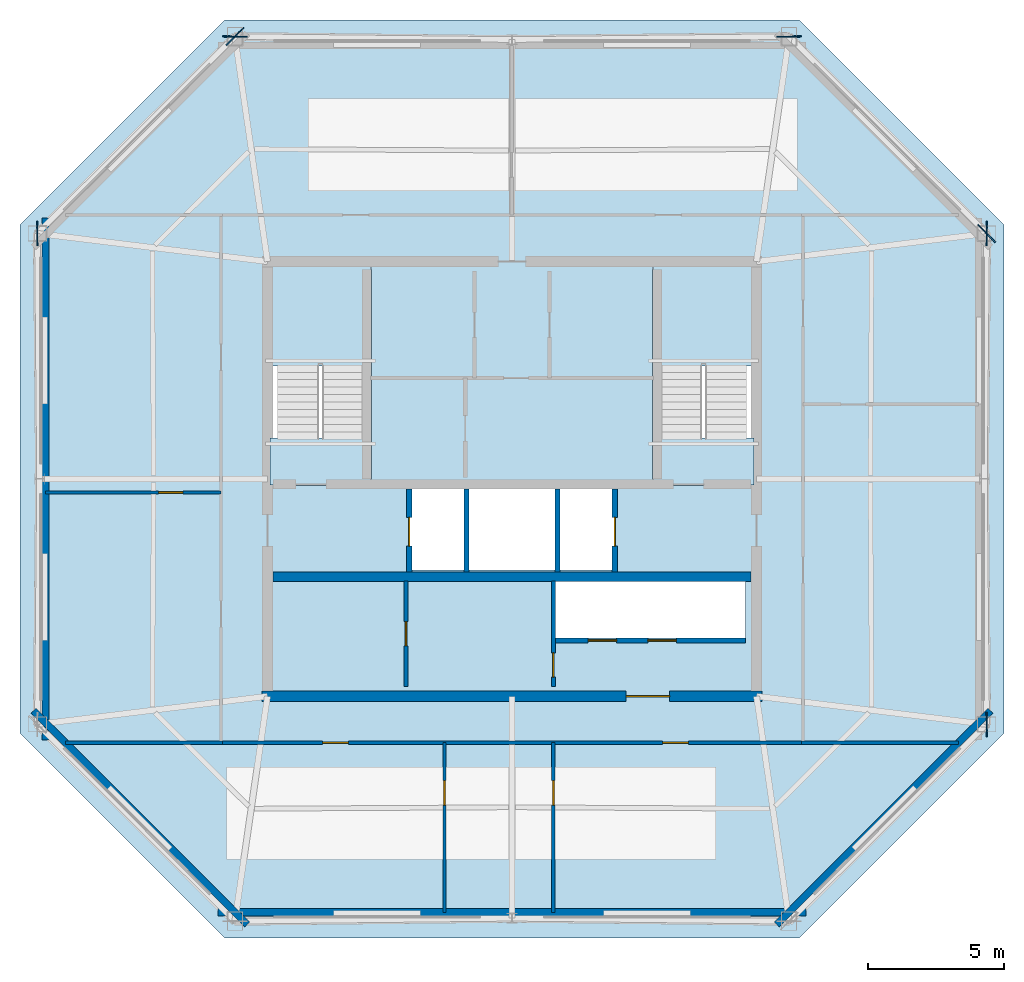
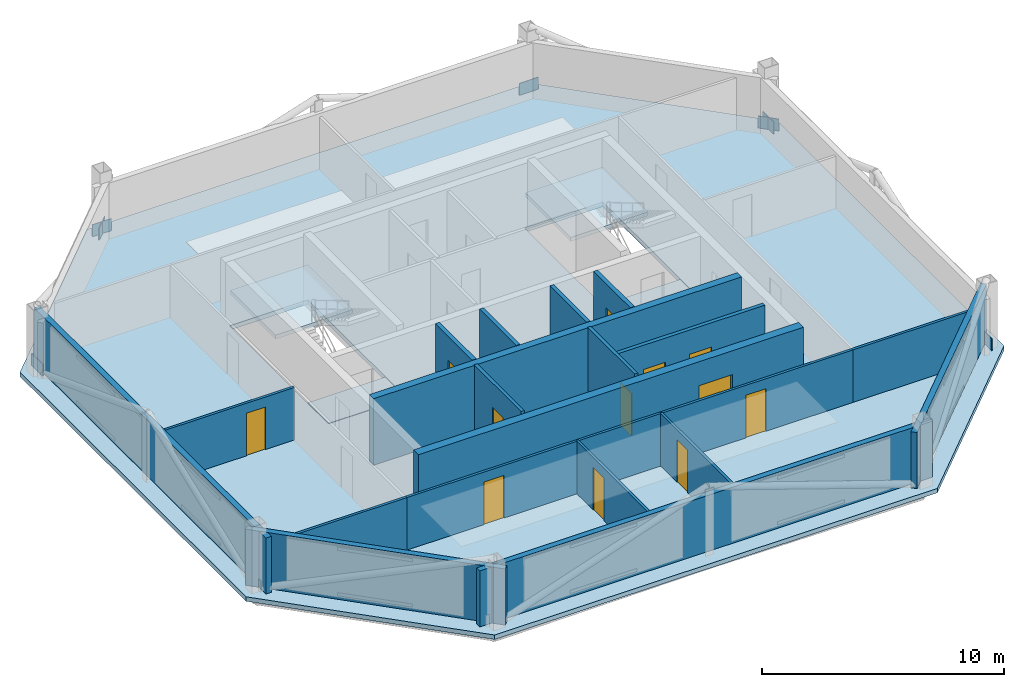
# One storey, part 2 of 5: 19 walls, 12 doors, 7 plates, 5 slabs, 12 openings, 2 elements without a shape of their own.
"""IFC4 building model written with IfcOpenShell, lengths in metres."""

from ifc_helpers import new_model, si_unit, direction, frame, frame_2d, origin, origin_2d, place, context, subcontext, project, spatial, polyline, rectangle, outline, extrude, material, layer, layer_set, type_object, element, fill, aggregate, save


model = new_model("IFC4")

# Units and contexts
model_context = context("Model", 3, precision=1e-05, world=origin(), true_north=direction((0.0, 1.0)))
body_context = subcontext(model_context, "Body", "Model", "MODEL_VIEW")
ifc_project = project(units=[si_unit("LENGTHUNIT", "METRE"), si_unit("AREAUNIT", "SQUARE_METRE"), si_unit("VOLUMEUNIT", "CUBIC_METRE"), si_unit("PLANEANGLEUNIT", "RADIAN"), si_unit("MASSUNIT", "GRAM", prefix="KILO")], contexts=[model_context])

# Site, building, storey
site_placement = place(None, origin())
site = spatial("IfcSite", under=ifc_project, at=site_placement, CompositionType="ELEMENT")
building_placement = place(site_placement, origin())
building = spatial("IfcBuilding", under=site, at=building_placement, Name="Caelvoria Tower", CompositionType="ELEMENT")
storey_placement = place(building_placement, frame((0.0, 0.0, 271.800048828125)))
storey = spatial("IfcBuildingStorey", under=building, at=storey_placement, Name="L72", CompositionType="ELEMENT", Elevation=271.800048828125)

# Plates
ifc_material_1 = material(Name="Structural Steel ASTM A572 Gr.50", Category="steel")
ifc_layer_1 = layer(ifc_material_1, 0.0400390625, Name="Structural Steel ASTM A572 Gr.50")
ifc_layer_set_1 = layer_set([ifc_layer_1], Name="Megaframe Node Gusset Plate 900x600x40 - Structural Steel ASTM A572 Gr.50")
plate_type = type_object("IfcPlateType", Name="Megaframe Node Gusset Plate 900x600x40", PredefinedType="USERDEFINED", material=ifc_layer_set_1)
for number, where, z_axis, x_axis, name in (
    (1, (63.469482421875, 41.032958984375, 0.02001953125), (0.0, 0.0, 1.0), (-0.708182126827, 0.706029797701, 0.0), "Chamfer Mega Brace Gusset L72 NE"),
    (2, (35.80029296875, 48.28076171875, 0.02001953125), (0.0, 0.0, 1.0), (-0.708182126827, -0.706029797701, 0.0), "Chamfer Mega Brace Gusset L72 NW"),
    (3, (63.469482421875, 22.967041015625, 0.0498046875), (0.0, 0.0, 1.0), (-0.008901061644, 0.999960384766, 0.0), "Megaframe Node Gusset Plate ND-01"),
    (4, (63.469482421875, 41.032958984375, 0.0498046875), (0.0, 0.0, 1.0), (-0.008901061644, -0.999960384766, 0.0), "Megaframe Node Gusset Plate ND-01"),
    (5, (56.19970703125, 48.28076171875, 0.0498046875), (0.0, 0.0, 1.0), (-0.999942055893, -0.010764982899, 0.0), "Megaframe Node Gusset Plate ND-01"),
    (6, (35.80029296875, 48.28076171875, 0.0498046875), (0.0, 0.0, 1.0), (0.999942055893, -0.010764982899, 0.0), "Megaframe Node Gusset Plate ND-01"),
    (7, (28.530517578125, 41.032958984375, 0.0498046875), (0.0, 0.0, 1.0), (0.008901061644, -0.999960384766, 0.0), "Megaframe Node Gusset Plate ND-01"),
):
    element("IfcPlate", number, at=place(storey_placement, frame(where, z_axis=z_axis, x_axis=x_axis)), inside=storey, type_object=plate_type, Name=name, ObjectType="GUSSET_PLATE", PredefinedType="USERDEFINED", context=body_context, shape_type="SweptSolid", body=[
        extrude(rectangle(XDim=0.89990234375, YDim=0.0400390625, at=origin_2d()), origin(), (0.0, 0.0, 1.0), 0.60009765625),
    ])

# Stair, slabs
ifc_material_2 = material(Name="Concrete C40/50", Category="concrete")
stair_type = type_object("IfcStairType", Name="Core Smokeproof Dogleg Stair Concrete C40/50", PredefinedType="HALF_TURN_STAIR", material=ifc_material_2)
stair_1_placement = place(storey_placement, origin())
stair_1 = element("IfcStair", 8, at=stair_1_placement, inside=storey, type_object=stair_type, Name="ST-01 Smokeproof Exit Stair L72", PredefinedType="HALF_TURN_STAIR")
ifc_layer_2 = layer(ifc_material_2, 0.199951171875, Name="Concrete C40/50")
ifc_layer_set_2 = layer_set([ifc_layer_2], Name="Stair Half and Floor Landing Slab 200 Concrete C40/50 - Concrete C40/50")
slab_type_1 = type_object("IfcSlabType", Name="Stair Half and Floor Landing Slab 200 Concrete C40/50", PredefinedType="LANDING", material=ifc_layer_set_2)
slab_1_placement = place(storey_placement, frame((0.0, 0.0, -0.199951171875)))
slab_1 = element("IfcSlab", 9, at=slab_1_placement, type_object=slab_type_1, Name="ST-01 landing 1", PredefinedType="LANDING", context=body_context, shape_type="SweptSolid", body=[
    extrude(outline(polyline([(37.10009765625, 31.77001953125), (40.800048828125, 31.77001953125), (40.800048828125, 33.5), (37.10009765625, 33.5), (37.10009765625, 31.77001953125)])), origin(), (0.0, 0.0, 1.0), 0.199951171875),
])
slab_2_placement = place(storey_placement, frame((0.0, 0.0, 1.599853515625)))
slab_2 = element("IfcSlab", 10, at=slab_2_placement, type_object=slab_type_1, Name="ST-01 landing 2", PredefinedType="LANDING", context=body_context, shape_type="SweptSolid", body=[
    extrude(outline(polyline([(37.10009765625, 36.14990234375), (40.800048828125, 36.14990234375), (40.800048828125, 39.89990234375), (37.10009765625, 39.89990234375), (37.10009765625, 36.14990234375)])), origin(), (0.0, 0.0, 1.0), 0.2001953125),
])
aggregate(stair_1, [slab_1, slab_2])

stair_2_placement = place(storey_placement, origin())
stair_2 = element("IfcStair", 11, at=stair_2_placement, inside=storey, type_object=stair_type, Name="ST-02 Smokeproof Exit Stair L72", PredefinedType="HALF_TURN_STAIR")
slab_3_placement = place(storey_placement, frame((0.0, 0.0, -0.199951171875)))
slab_3 = element("IfcSlab", 12, at=slab_3_placement, type_object=slab_type_1, Name="ST-02 landing 1", PredefinedType="LANDING", context=body_context, shape_type="SweptSolid", body=[
    extrude(outline(polyline([(51.199951171875, 31.77001953125), (54.89990234375, 31.77001953125), (54.89990234375, 33.5), (51.199951171875, 33.5), (51.199951171875, 31.77001953125)])), origin(), (0.0, 0.0, 1.0), 0.199951171875),
])
slab_4_placement = place(storey_placement, frame((0.0, 0.0, 1.599853515625)))
slab_4 = element("IfcSlab", 13, at=slab_4_placement, type_object=slab_type_1, Name="ST-02 landing 2", PredefinedType="LANDING", context=body_context, shape_type="SweptSolid", body=[
    extrude(outline(polyline([(51.199951171875, 36.14990234375), (54.89990234375, 36.14990234375), (54.89990234375, 39.89990234375), (51.199951171875, 39.89990234375), (51.199951171875, 36.14990234375)])), origin(), (0.0, 0.0, 1.0), 0.2001953125),
])
aggregate(stair_2, [slab_3, slab_4])

# Slab
ifc_layer_3 = layer(ifc_material_2, 0.22509765625, Name="Concrete C40/50")
ifc_layer_set_3 = layer_set([ifc_layer_3], Name="Upper Tower Composite Office Slab 225 - Concrete C40/50")
slab_type_2 = type_object("IfcSlabType", Name="Upper Tower Composite Office Slab 225", PredefinedType="FLOOR", material=ifc_layer_set_3)
slab_5_placement = place(storey_placement, frame((0.0, 0.0, -0.22509765625)))
element("IfcSlab", 14, at=slab_5_placement, inside=storey, type_object=slab_type_2, Name="Level L72 Structural Floor Slab", PredefinedType="FLOOR", context=body_context, shape_type="SweptSolid", body=[
    extrude(outline(polyline([(35.418212890625, 15.109130859375), (56.581787109375, 15.109130859375), (64.109130859375, 22.636474609375), (64.109130859375, 41.363525390625), (56.581787109375, 48.890869140625), (35.418212890625, 48.890869140625), (27.890869140625, 41.363525390625), (27.890869140625, 22.636474609375), (35.418212890625, 15.109130859375)]), holes=[polyline([(37.080078125, 31.75), (40.820068359375, 31.75), (40.820068359375, 39.919921875), (37.080078125, 39.919921875), (37.080078125, 31.75)]), polyline([(51.179931640625, 31.75), (54.919921875, 31.75), (54.919921875, 39.919921875), (51.179931640625, 39.919921875), (51.179931640625, 31.75)]), polyline([(42.25, 28.64990234375), (49.75, 28.64990234375), (49.75, 31.800048828125), (42.25, 31.800048828125), (42.25, 28.64990234375)]), polyline([(47.60009765625, 26.14990234375), (54.60009765625, 26.14990234375), (54.60009765625, 28.25), (47.60009765625, 28.25), (47.60009765625, 26.14990234375)])]), origin(), (0.0, 0.0, 1.0), 0.22509765625),
])

# Wall
ifc_material_3 = material(Name="Concrete C50/60", Category="concrete")
ifc_layer_4 = layer(ifc_material_3, 0.35009765625, Name="Concrete C50/60")
ifc_layer_set_4 = layer_set([ifc_layer_4], Name="Core Internal Shear Wall 350 - Concrete C50/60")
wall_type_1 = type_object("IfcWallType", Name="Core Internal Shear Wall 350", PredefinedType="SHEAR", material=ifc_layer_set_4)
wall_1_placement = place(storey_placement, frame((37.199951171875, 28.39990234375, 0.0), z_axis=(0.0, 0.0, 1.0), x_axis=(1.0, 0.0, 0.0)))
element("IfcWall", 15, at=wall_1_placement, inside=storey, type_object=wall_type_1, Name="Core Shear Wall L72 M2", PredefinedType="SHEAR", context=body_context, shape_type="SweptSolid", body=[
    extrude(rectangle(XDim=17.60009765625, YDim=0.35009765625, at=frame_2d((8.800048828125, 0.0))), origin(), (0.0, 0.0, 1.0), 3.35986328125),
])

# Wall, opening, door
ifc_material_4 = material(Name="Double Gypsum Board on Steel Stud", Category="steel")
ifc_layer_5 = layer(ifc_material_4, 0.14990234375, Name="Double Gypsum Board on Steel Stud")
ifc_layer_set_5 = layer_set([ifc_layer_5], Name="Core Service Acoustic Partition Wall 150 - Double Gypsum Board on Steel Stud")
wall_type_2 = type_object("IfcWallType", Name="Core Service Acoustic Partition Wall 150", PredefinedType="PARTITIONING", material=ifc_layer_set_5)
wall_2_placement = place(storey_placement, frame((42.10009765625, 24.35009765625, 0.0), z_axis=(0.0, 0.0, 1.0), x_axis=(0.0, 1.0, 0.0)))
wall_2 = element("IfcWall", 16, at=wall_2_placement, inside=storey, type_object=wall_type_2, Name="Interior Partition IW-L72-RECL-MID", PredefinedType="PARTITIONING", context=body_context, shape_type="SweptSolid", body=[
    extrude(rectangle(XDim=3.89990234375, YDim=0.14990234375, at=frame_2d((1.949951171875, 0.0))), origin(), (0.0, 0.0, 1.0), 3.375),
])
opening_1_placement = place(wall_2_placement, frame((1.5, 0.0, 0.0)))
opening_1 = element("IfcOpeningElement", 17, at=opening_1_placement, cuts=wall_2, Name="Opening ID-06", PredefinedType="OPENING", context=body_context, shape_type="SweptSolid", body=[
    extrude(rectangle(XDim=0.89990234375, YDim=2.14990234375, at=frame_2d((0.449951171875, 1.074951171875))), frame((0.0, 0.0849609375, 0.0), z_axis=(0.0, -1.0, 0.0), x_axis=(1.0, 0.0, 0.0)), (0.0, 0.0, 1.0), 0.169921875),
])
ifc_material_5 = material(Name="Engineered Andean Oak Veneer Door", Category="wood")
door_type_1 = type_object("IfcDoorType", Name="Interior Timber Door 900x2150", OperationType="NOTDEFINED", PredefinedType="DOOR", material=ifc_material_5)
door_1_placement = place(opening_1_placement, origin())
door_1 = element("IfcDoor", 18, at=door_1_placement, inside=storey, type_object=door_type_1, Name="Interior Door DR-L72-RECL12", OperationType="SINGLE_SWING_LEFT", OverallHeight=2.14990234375, OverallWidth=0.89990234375, PredefinedType="DOOR", context=body_context, shape_type="SweptSolid", body=[
    extrude(rectangle(XDim=0.89990234375, YDim=2.14990234375, at=frame_2d((0.449951171875, 1.074951171875))), frame((0.0, 0.02490234375, 0.0), z_axis=(0.0, -1.0, 0.0), x_axis=(1.0, 0.0, 0.0)), (0.0, 0.0, 1.0), 0.050048828125),
])
fill(opening_1, door_1)

wall_3_placement = place(storey_placement, frame((47.52001953125, 24.35009765625, 0.0), z_axis=(0.0, 0.0, 1.0), x_axis=(0.0, 1.0, 0.0)))
wall_3 = element("IfcWall", 19, at=wall_3_placement, inside=storey, type_object=wall_type_2, Name="Interior Partition IW-L72-RECL2E", PredefinedType="PARTITIONING", context=body_context, shape_type="SweptSolid", body=[
    extrude(rectangle(XDim=3.89990234375, YDim=0.14990234375, at=frame_2d((1.949951171875, 0.0))), origin(), (0.0, 0.0, 1.0), 3.375),
])
opening_2_placement = place(wall_3_placement, frame((0.35009765625, 0.0, 0.0)))
opening_2 = element("IfcOpeningElement", 20, at=opening_2_placement, cuts=wall_3, Name="Opening ID-04", PredefinedType="OPENING", context=body_context, shape_type="SweptSolid", body=[
    extrude(rectangle(XDim=0.89990234375, YDim=2.14990234375, at=frame_2d((0.449951171875, 1.074951171875))), frame((0.0, 0.0849609375, 0.0), z_axis=(0.0, -1.0, 0.0), x_axis=(1.0, 0.0, 0.0)), (0.0, 0.0, 1.0), 0.169921875),
])
ifc_material_6 = material(Name="Acoustic Timber Fire Door", Category="wood")
door_type_2 = type_object("IfcDoorType", Name="Fire Door FD30S 900x2150", OperationType="NOTDEFINED", PredefinedType="DOOR", material=ifc_material_6)
door_2_placement = place(opening_2_placement, origin())
door_2 = element("IfcDoor", 21, at=door_2_placement, inside=storey, type_object=door_type_2, Name="Interior Door DR-L72-RECL2", OperationType="SINGLE_SWING_RIGHT", OverallHeight=2.14990234375, OverallWidth=0.89990234375, PredefinedType="DOOR", context=body_context, shape_type="SweptSolid", body=[
    extrude(rectangle(XDim=0.89990234375, YDim=2.14990234375, at=frame_2d((0.449951171875, 1.074951171875))), frame((0.0, 0.02490234375, 0.0), z_axis=(0.0, -1.0, 0.0), x_axis=(1.0, 0.0, 0.0)), (0.0, 0.0, 1.0), 0.050048828125),
])
fill(opening_2, door_2)

# Walls
ifc_material_7 = material(Name="Concrete Block and Fireboard Assembly", Category="concrete")
ifc_layer_6 = layer(ifc_material_7, 0.179931640625, Name="Concrete Block and Fireboard Assembly")
ifc_layer_set_6 = layer_set([ifc_layer_6], Name="Fire-Rated Hoistway Partition Wall 180 - Concrete Block and Fireboard Assembly")
wall_type_3 = type_object("IfcWallType", Name="Fire-Rated Hoistway Partition Wall 180", PredefinedType="PARTITIONING", material=ifc_layer_set_6)
for number, where, z_axis, x_axis, name in (
    (22, (44.320068359375, 28.580078125, 0.0), (0.0, 0.0, 1.0), (0.0, 1.0, 0.0), "Interior Partition IW-L72-SV1W"),
    (23, (47.679931640625, 28.580078125, 0.0), (0.0, 0.0, 1.0), (0.0, 1.0, 0.0), "Interior Partition IW-L72-SV1E"),
):
    element("IfcWall", number, at=place(storey_placement, frame(where, z_axis=z_axis, x_axis=x_axis)), inside=storey, type_object=wall_type_3, Name=name, PredefinedType="PARTITIONING", context=body_context, shape_type="SweptSolid", body=[
        extrude(rectangle(XDim=3.0400390625, YDim=0.179931640625, at=frame_2d((1.52001953125, 0.0))), origin(), (0.0, 0.0, 1.0), 3.375),
    ])

# Wall, openings, doors
wall_4_placement = place(storey_placement, frame((47.60009765625, 26.050048828125, 0.0), z_axis=(0.0, 0.0, 1.0), x_axis=(1.0, 0.0, 0.0)))
wall_4 = element("IfcWall", 24, at=wall_4_placement, inside=storey, type_object=wall_type_3, Name="Interior Partition IW-L72-LFRONT", PredefinedType="PARTITIONING", context=body_context, shape_type="SweptSolid", body=[
    extrude(rectangle(XDim=7.0, YDim=0.179931640625, at=frame_2d((3.5, 0.0))), origin(), (0.0, 0.0, 1.0), 3.375),
])
opening_3_placement = place(wall_4_placement, frame((1.199951171875, 0.0, 0.0)))
opening_3 = element("IfcOpeningElement", 25, at=opening_3_placement, cuts=wall_4, Name="Opening LD-01", PredefinedType="OPENING", context=body_context, shape_type="SweptSolid", body=[
    extrude(rectangle(XDim=1.050048828125, YDim=2.14990234375, at=frame_2d((0.52490234375, 1.074951171875))), frame((0.0, 0.099853515625, 0.0), z_axis=(0.0, -1.0, 0.0), x_axis=(1.0, 0.0, 0.0)), (0.0, 0.0, 1.0), 0.199951171875),
])
opening_4_placement = place(wall_4_placement, frame((3.39990234375, 0.0, 0.0)))
opening_4 = element("IfcOpeningElement", 26, at=opening_4_placement, cuts=wall_4, Name="Opening LD-01", PredefinedType="OPENING", context=body_context, shape_type="SweptSolid", body=[
    extrude(rectangle(XDim=1.050048828125, YDim=2.14990234375, at=frame_2d((0.52490234375, 1.074951171875))), frame((0.0, 0.099853515625, 0.0), z_axis=(0.0, -1.0, 0.0), x_axis=(1.0, 0.0, 0.0)), (0.0, 0.0, 1.0), 0.199951171875),
])
ifc_material_8 = material(Name="Brushed Bronze Stainless Sliding Landing Door", Category="aluminium")
door_type_3 = type_object("IfcDoorType", Name="Lift Landing Sliding Door 1100x2150", OperationType="NOTDEFINED", PredefinedType="DOOR", material=ifc_material_8)
door_3_placement = place(opening_3_placement, origin())
door_3 = element("IfcDoor", 27, at=door_3_placement, inside=storey, type_object=door_type_3, Name="Interior Door LD-L72-PH1", OperationType="SLIDING_TO_LEFT", OverallHeight=2.14990234375, OverallWidth=1.050048828125, PredefinedType="DOOR", context=body_context, shape_type="SweptSolid", body=[
    extrude(rectangle(XDim=1.050048828125, YDim=2.14990234375, at=frame_2d((0.52490234375, 1.074951171875))), frame((0.0, 0.02490234375, 0.0), z_axis=(0.0, -1.0, 0.0), x_axis=(1.0, 0.0, 0.0)), (0.0, 0.0, 1.0), 0.050048828125),
])
fill(opening_3, door_3)
door_4_placement = place(opening_4_placement, origin())
door_4 = element("IfcDoor", 28, at=door_4_placement, inside=storey, type_object=door_type_3, Name="Interior Door LD-L72-PH2", OperationType="SLIDING_TO_RIGHT", OverallHeight=2.14990234375, OverallWidth=1.050048828125, PredefinedType="DOOR", context=body_context, shape_type="SweptSolid", body=[
    extrude(rectangle(XDim=1.050048828125, YDim=2.14990234375, at=frame_2d((0.52490234375, 1.074951171875))), frame((0.0, 0.02490234375, 0.0), z_axis=(0.0, -1.0, 0.0), x_axis=(1.0, 0.0, 0.0)), (0.0, 0.0, 1.0), 0.050048828125),
])
fill(opening_4, door_4)

# Wall, opening, door
ifc_layer_7 = layer(ifc_material_7, 0.199951171875, Name="Concrete Block and Fireboard Assembly")
ifc_layer_set_7 = layer_set([ifc_layer_7], Name="Fire-Rated Shaft and Core Partition Wall 200 - Concrete Block and Fireboard Assembly")
wall_type_4 = type_object("IfcWallType", Name="Fire-Rated Shaft and Core Partition Wall 200", PredefinedType="PARTITIONING", material=ifc_layer_set_7)
wall_5_placement = place(storey_placement, frame((42.219970703125, 28.580078125, 0.0), z_axis=(0.0, 0.0, 1.0), x_axis=(0.0, 1.0, 0.0)))
wall_5 = element("IfcWall", 29, at=wall_5_placement, inside=storey, type_object=wall_type_4, Name="Interior Partition IW-L72-LF1W", PredefinedType="PARTITIONING", context=body_context, shape_type="SweptSolid", body=[
    extrude(rectangle(XDim=3.0400390625, YDim=0.199951171875, at=frame_2d((1.52001953125, 0.0))), origin(), (0.0, 0.0, 1.0), 3.375),
])
opening_5_placement = place(wall_5_placement, frame((0.949951171875, 0.0, 0.0)))
opening_5 = element("IfcOpeningElement", 30, at=opening_5_placement, cuts=wall_5, Name="Opening LD-01", PredefinedType="OPENING", context=body_context, shape_type="SweptSolid", body=[
    extrude(rectangle(XDim=1.050048828125, YDim=2.14990234375, at=frame_2d((0.52490234375, 1.074951171875))), frame((0.0, 0.10986328125, 0.0), z_axis=(0.0, -1.0, 0.0), x_axis=(1.0, 0.0, 0.0)), (0.0, 0.0, 1.0), 0.219970703125),
])
door_5_placement = place(opening_5_placement, origin())
door_5 = element("IfcDoor", 31, at=door_5_placement, inside=storey, type_object=door_type_3, Name="Interior Door LD-L72-LF1", OperationType="SLIDING_TO_LEFT", OverallHeight=2.14990234375, OverallWidth=1.050048828125, PredefinedType="DOOR", context=body_context, shape_type="SweptSolid", body=[
    extrude(rectangle(XDim=1.050048828125, YDim=2.14990234375, at=frame_2d((0.52490234375, 1.074951171875))), frame((0.0, 0.02490234375, 0.0), z_axis=(0.0, -1.0, 0.0), x_axis=(1.0, 0.0, 0.0)), (0.0, 0.0, 1.0), 0.050048828125),
])
fill(opening_5, door_5)

wall_6_placement = place(storey_placement, frame((49.780029296875, 28.580078125, 0.0), z_axis=(0.0, 0.0, 1.0), x_axis=(0.0, 1.0, 0.0)))
wall_6 = element("IfcWall", 32, at=wall_6_placement, inside=storey, type_object=wall_type_4, Name="Interior Partition IW-L72-LF2E", PredefinedType="PARTITIONING", context=body_context, shape_type="SweptSolid", body=[
    extrude(rectangle(XDim=3.0400390625, YDim=0.199951171875, at=frame_2d((1.52001953125, 0.0))), origin(), (0.0, 0.0, 1.0), 3.375),
])
opening_6_placement = place(wall_6_placement, frame((0.949951171875, 0.0, 0.0)))
opening_6 = element("IfcOpeningElement", 33, at=opening_6_placement, cuts=wall_6, Name="Opening LD-01", PredefinedType="OPENING", context=body_context, shape_type="SweptSolid", body=[
    extrude(rectangle(XDim=1.050048828125, YDim=2.14990234375, at=frame_2d((0.52490234375, 1.074951171875))), frame((0.0, 0.10986328125, 0.0), z_axis=(0.0, -1.0, 0.0), x_axis=(1.0, 0.0, 0.0)), (0.0, 0.0, 1.0), 0.219970703125),
])
door_6_placement = place(opening_6_placement, origin())
door_6 = element("IfcDoor", 34, at=door_6_placement, inside=storey, type_object=door_type_3, Name="Interior Door LD-L72-LF2", OperationType="SLIDING_TO_RIGHT", OverallHeight=2.14990234375, OverallWidth=1.050048828125, PredefinedType="DOOR", context=body_context, shape_type="SweptSolid", body=[
    extrude(rectangle(XDim=1.050048828125, YDim=2.14990234375, at=frame_2d((0.52490234375, 1.074951171875))), frame((0.0, 0.02490234375, 0.0), z_axis=(0.0, -1.0, 0.0), x_axis=(1.0, 0.0, 0.0)), (0.0, 0.0, 1.0), 0.050048828125),
])
fill(opening_6, door_6)

ifc_layer_8 = layer(ifc_material_3, 0.39990234375, Name="Concrete C50/60")
ifc_layer_set_8 = layer_set([ifc_layer_8], Name="Summit Core Shear Wall 400 - Concrete C50/60")
wall_type_5 = type_object("IfcWallType", Name="Summit Core Shear Wall 400", PredefinedType="SHEAR", material=ifc_layer_set_8)
wall_7_placement = place(storey_placement, frame((36.800048828125, 24.0, 0.0), z_axis=(0.0, 0.0, 1.0), x_axis=(1.0, 0.0, 0.0)))
wall_7 = element("IfcWall", 35, at=wall_7_placement, inside=storey, type_object=wall_type_5, Name="Core Shear Wall L72 S", PredefinedType="SHEAR", context=body_context, shape_type="SweptSolid", body=[
    extrude(rectangle(XDim=18.39990234375, YDim=0.39990234375, at=frame_2d((9.199951171875, 0.0))), origin(), (0.0, 0.0, 1.0), 3.35986328125),
])
opening_7_placement = place(wall_7_placement, frame((13.39990234375, 0.0, 0.0)))
opening_7 = element("IfcOpeningElement", 36, at=opening_7_placement, cuts=wall_7, Name="Opening ID-08", PredefinedType="OPENING", context=body_context, shape_type="SweptSolid", body=[
    extrude(rectangle(XDim=1.60009765625, YDim=2.14990234375, at=frame_2d((0.800048828125, 1.074951171875))), frame((0.0, 0.2099609375, 0.0), z_axis=(0.0, -1.0, 0.0), x_axis=(1.0, 0.0, 0.0)), (0.0, 0.0, 1.0), 0.419921875),
])
ifc_material_9 = material(Name="Bronze-Framed Fire-Rated Glazed Double Door", Category="aluminium")
door_type_4 = type_object("IfcDoorType", Name="Double Lobby Glazed Door 1600x2200", OperationType="NOTDEFINED", PredefinedType="DOOR", material=ifc_material_9)
door_7_placement = place(opening_7_placement, origin())
door_7 = element("IfcDoor", 37, at=door_7_placement, inside=storey, type_object=door_type_4, Name="Core Door DR-L72-LLOB-S2", OperationType="DOUBLE_DOOR_SINGLE_SWING", OverallHeight=2.14990234375, OverallWidth=1.60009765625, PredefinedType="DOOR", context=body_context, shape_type="SweptSolid", body=[
    extrude(rectangle(XDim=1.60009765625, YDim=2.14990234375, at=frame_2d((0.800048828125, 1.074951171875))), frame((0.0, 0.02490234375, 0.0), z_axis=(0.0, -1.0, 0.0), x_axis=(1.0, 0.0, 0.0)), (0.0, 0.0, 1.0), 0.050048828125),
])
fill(opening_7, door_7)

ifc_material_10 = material(Name="Acoustic Gypsum Board on Light-Gauge Stud", Category="gypsum")
ifc_layer_9 = layer(ifc_material_10, 0.1201171875, Name="Acoustic Gypsum Board on Light-Gauge Stud")
ifc_layer_set_9 = layer_set([ifc_layer_9], Name="Tenant Suite Acoustic Partition Wall 120 - Acoustic Gypsum Board on Light-Gauge Stud")
wall_type_6 = type_object("IfcWallType", Name="Tenant Suite Acoustic Partition Wall 120", PredefinedType="PARTITIONING", material=ifc_layer_set_9)
wall_8_placement = place(storey_placement, frame((43.518798828125, 22.2900390625, 0.0), z_axis=(0.0, 0.0, 1.0), x_axis=(0.0, -1.0, 0.0)))
wall_8 = element("IfcWall", 38, at=wall_8_placement, inside=storey, type_object=wall_type_6, Name="Interior Partition IW-L72-SD-00-0", PredefinedType="PARTITIONING", context=body_context, shape_type="SweptSolid", body=[
    extrude(rectangle(XDim=6.240966796875, YDim=0.1201171875, at=frame_2d((3.12060546875, 0.0))), origin(), (0.0, 0.0, 1.0), 2.655029296875),
])
opening_8_placement = place(wall_8_placement, frame((1.39990234375, 0.0, 0.0)))
opening_8 = element("IfcOpeningElement", 39, at=opening_8_placement, cuts=wall_8, Name="Opening ID-06", PredefinedType="OPENING", context=body_context, shape_type="SweptSolid", body=[
    extrude(rectangle(XDim=0.89990234375, YDim=2.14990234375, at=frame_2d((0.449951171875, 1.074951171875))), frame((0.0, 0.070068359375, 0.0), z_axis=(0.0, -1.0, 0.0), x_axis=(1.0, 0.0, 0.0)), (0.0, 0.0, 1.0), 0.14013671875),
])
door_8_placement = place(opening_8_placement, origin())
door_8 = element("IfcDoor", 40, at=door_8_placement, inside=storey, type_object=door_type_1, Name="Interior Door DR-L72-SM-00-0", OperationType="SINGLE_SWING_RIGHT", OverallHeight=2.14990234375, OverallWidth=0.89990234375, PredefinedType="DOOR", context=body_context, shape_type="SweptSolid", body=[
    extrude(rectangle(XDim=0.89990234375, YDim=2.14990234375, at=frame_2d((0.449951171875, 1.074951171875))), frame((0.0, 0.02490234375, 0.0), z_axis=(0.0, -1.0, 0.0), x_axis=(1.0, 0.0, 0.0)), (0.0, 0.0, 1.0), 0.050048828125),
])
fill(opening_8, door_8)

wall_9_placement = place(storey_placement, frame((47.522705078125, 22.2900390625, 0.0), z_axis=(0.0, 0.0, 1.0), x_axis=(0.0, -1.0, 0.0)))
wall_9 = element("IfcWall", 41, at=wall_9_placement, inside=storey, type_object=wall_type_6, Name="Interior Partition IW-L72-SD-01-0", PredefinedType="PARTITIONING", context=body_context, shape_type="SweptSolid", body=[
    extrude(rectangle(XDim=6.240966796875, YDim=0.1201171875, at=frame_2d((3.12060546875, 0.0))), origin(), (0.0, 0.0, 1.0), 2.655029296875),
])
opening_9_placement = place(wall_9_placement, frame((1.39990234375, 0.0, 0.0)))
opening_9 = element("IfcOpeningElement", 42, at=opening_9_placement, cuts=wall_9, Name="Opening ID-06", PredefinedType="OPENING", context=body_context, shape_type="SweptSolid", body=[
    extrude(rectangle(XDim=0.89990234375, YDim=2.14990234375, at=frame_2d((0.449951171875, 1.074951171875))), frame((0.0, 0.070068359375, 0.0), z_axis=(0.0, -1.0, 0.0), x_axis=(1.0, 0.0, 0.0)), (0.0, 0.0, 1.0), 0.14013671875),
])
door_9_placement = place(opening_9_placement, origin())
door_9 = element("IfcDoor", 43, at=door_9_placement, inside=storey, type_object=door_type_1, Name="Interior Door DR-L72-SM-01-0", OperationType="SINGLE_SWING_LEFT", OverallHeight=2.14990234375, OverallWidth=0.89990234375, PredefinedType="DOOR", context=body_context, shape_type="SweptSolid", body=[
    extrude(rectangle(XDim=0.89990234375, YDim=2.14990234375, at=frame_2d((0.449951171875, 1.074951171875))), frame((0.0, 0.02490234375, 0.0), z_axis=(0.0, -1.0, 0.0), x_axis=(1.0, 0.0, 0.0)), (0.0, 0.0, 1.0), 0.050048828125),
])
fill(opening_9, door_9)

# Wall, openings, doors
wall_10_placement = place(storey_placement, frame((35.35009765625, 22.2900390625, 0.0), z_axis=(0.0, 0.0, 1.0), x_axis=(1.0, 0.0, 0.0)))
wall_10 = element("IfcWall", 44, at=wall_10_placement, inside=storey, type_object=wall_type_6, Name="Interior Partition IW-L72-SCW-0", PredefinedType="PARTITIONING", context=body_context, shape_type="SweptSolid", body=[
    extrude(rectangle(XDim=21.2998046875, YDim=0.1201171875, at=frame_2d((10.64990234375, 0.0))), origin(), (0.0, 0.0, 1.0), 2.655029296875),
])
opening_10_placement = place(wall_10_placement, frame((3.679443359375, 0.0, 0.0)))
opening_10 = element("IfcOpeningElement", 45, at=opening_10_placement, cuts=wall_10, Name="Opening ID-05", PredefinedType="OPENING", context=body_context, shape_type="SweptSolid", body=[
    extrude(rectangle(XDim=0.949951171875, YDim=2.14990234375, at=frame_2d((0.47509765625, 1.074951171875))), frame((0.0, 0.070068359375, 0.0), z_axis=(0.0, -1.0, 0.0), x_axis=(1.0, 0.0, 0.0)), (0.0, 0.0, 1.0), 0.14013671875),
])
opening_11_placement = place(wall_10_placement, frame((16.19140625, 0.0, 0.0)))
opening_11 = element("IfcOpeningElement", 46, at=opening_11_placement, cuts=wall_10, Name="Opening ID-05", PredefinedType="OPENING", context=body_context, shape_type="SweptSolid", body=[
    extrude(rectangle(XDim=0.949951171875, YDim=2.14990234375, at=frame_2d((0.47509765625, 1.074951171875))), frame((0.0, 0.070068359375, 0.0), z_axis=(0.0, -1.0, 0.0), x_axis=(1.0, 0.0, 0.0)), (0.0, 0.0, 1.0), 0.14013671875),
])
door_type_5 = type_object("IfcDoorType", Name="Interior Timber Door 950x2150", OperationType="NOTDEFINED", PredefinedType="DOOR", material=ifc_material_5)
door_10_placement = place(opening_10_placement, origin())
door_10 = element("IfcDoor", 47, at=door_10_placement, inside=storey, type_object=door_type_5, Name="Interior Door DR-L72-SC-00-0", OperationType="SINGLE_SWING_LEFT", OverallHeight=2.14990234375, OverallWidth=0.949951171875, PredefinedType="DOOR", context=body_context, shape_type="SweptSolid", body=[
    extrude(rectangle(XDim=0.949951171875, YDim=2.14990234375, at=frame_2d((0.47509765625, 1.074951171875))), frame((0.0, 0.02490234375, 0.0), z_axis=(0.0, -1.0, 0.0), x_axis=(1.0, 0.0, 0.0)), (0.0, 0.0, 1.0), 0.050048828125),
])
fill(opening_10, door_10)
door_11_placement = place(opening_11_placement, origin())
door_11 = element("IfcDoor", 48, at=door_11_placement, inside=storey, type_object=door_type_5, Name="Interior Door DR-L72-SC-02-0", OperationType="SINGLE_SWING_LEFT", OverallHeight=2.14990234375, OverallWidth=0.949951171875, PredefinedType="DOOR", context=body_context, shape_type="SweptSolid", body=[
    extrude(rectangle(XDim=0.949951171875, YDim=2.14990234375, at=frame_2d((0.47509765625, 1.074951171875))), frame((0.0, 0.02490234375, 0.0), z_axis=(0.0, -1.0, 0.0), x_axis=(1.0, 0.0, 0.0)), (0.0, 0.0, 1.0), 0.050048828125),
])
fill(opening_11, door_11)

# Wall, opening, door
wall_11_placement = place(storey_placement, frame((35.2900390625, 31.502685546875, 0.0), z_axis=(0.0, 0.0, 1.0), x_axis=(-1.0, 0.0, 0.0)))
wall_11 = element("IfcWall", 49, at=wall_11_placement, inside=storey, type_object=wall_type_6, Name="Interior Partition IW-L72-WD-00-0", PredefinedType="PARTITIONING", context=body_context, shape_type="SweptSolid", body=[
    extrude(rectangle(XDim=6.459228515625, YDim=0.1201171875, at=frame_2d((3.2294921875, 0.0))), origin(), (0.0, 0.0, 1.0), 2.655029296875),
])
opening_12_placement = place(wall_11_placement, frame((1.39990234375, 0.0, 0.0)))
opening_12 = element("IfcOpeningElement", 50, at=opening_12_placement, cuts=wall_11, Name="Opening ID-06", PredefinedType="OPENING", context=body_context, shape_type="SweptSolid", body=[
    extrude(rectangle(XDim=0.89990234375, YDim=2.14990234375, at=frame_2d((0.449951171875, 1.074951171875))), frame((0.0, 0.070068359375, 0.0), z_axis=(0.0, -1.0, 0.0), x_axis=(1.0, 0.0, 0.0)), (0.0, 0.0, 1.0), 0.14013671875),
])
door_12_placement = place(opening_12_placement, origin())
door_12 = element("IfcDoor", 51, at=door_12_placement, inside=storey, type_object=door_type_1, Name="Interior Door DR-L72-WM-00-0", OperationType="SINGLE_SWING_RIGHT", OverallHeight=2.14990234375, OverallWidth=0.89990234375, PredefinedType="DOOR", context=body_context, shape_type="SweptSolid", body=[
    extrude(rectangle(XDim=0.89990234375, YDim=2.14990234375, at=frame_2d((0.449951171875, 1.074951171875))), frame((0.0, 0.02490234375, 0.0), z_axis=(0.0, -1.0, 0.0), x_axis=(1.0, 0.0, 0.0)), (0.0, 0.0, 1.0), 0.050048828125),
])
fill(opening_12, door_12)

# Walls
for number, where, z_axis, x_axis, name in (
    (52, (35.35009765625, 22.2900390625, 0.0), (0.0, 0.0, 1.0), (-1.0, 0.0, 0.0), "Interior Partition IW-L72-BSW-0"),
    (53, (56.64990234375, 22.2900390625, 0.0), (0.0, 0.0, 1.0), (1.0, 0.0, 0.0), "Interior Partition IW-L72-BSE-0"),
):
    element("IfcWall", number, at=place(storey_placement, frame(where, z_axis=z_axis, x_axis=x_axis)), inside=storey, type_object=wall_type_6, Name=name, PredefinedType="PARTITIONING", context=body_context, shape_type="SweptSolid", body=[
        extrude(rectangle(XDim=5.783447265625, YDim=0.1201171875, at=frame_2d((2.8916015625, 0.0))), origin(), (0.0, 0.0, 1.0), 2.655029296875),
    ])
ifc_material_11 = material(Name="Precast Concrete C40/50 with Bronze Cladding", Category="concrete")
ifc_layer_10 = layer(ifc_material_11, 0.264892578125, Name="Precast Concrete C40/50 with Bronze Cladding")
ifc_layer_set_10 = layer_set([ifc_layer_10], Name="Upper Taper Precast Concrete C40/50 Bronze Facade Wall 265 - Precast Concrete C40/50 with Bronze Cladding")
wall_type_7 = type_object("IfcWallType", Name="Upper Taper Precast Concrete C40/50 Bronze Facade Wall 265", PredefinedType="STANDARD", material=ifc_layer_set_10)
wall_12_placement = place(storey_placement, frame((35.17822265625, 16.049072265625, 0.0), z_axis=(0.0, 0.0, 1.0), x_axis=(1.0, 0.0, 0.0)))
element("IfcWall", 54, at=wall_12_placement, inside=storey, type_object=wall_type_7, Name="Exterior Facade Wall L72-E0", PredefinedType="STANDARD", context=body_context, shape_type="SweptSolid", body=[
    extrude(rectangle(XDim=21.6435546875, YDim=0.264892578125, at=frame_2d((10.82177734375, 0.0))), origin(), (0.0, 0.0, 1.0), 2.83203125),
])
wall_13_placement = place(storey_placement, frame((55.747314453125, 15.60400390625, 0.0), z_axis=(0.0, 0.0, 1.0), x_axis=(0.707106781187, 0.707106781187, 0.0)))
element("IfcWall", 55, at=wall_13_placement, inside=storey, type_object=wall_type_7, Name="Exterior Facade Wall L72-E1", PredefinedType="STANDARD", context=body_context, shape_type="SweptSolid", body=[
    extrude(rectangle(XDim=11.125244140625, YDim=0.264892578125, at=frame_2d((5.5625, 0.0))), origin(), (0.0, 0.0, 1.0), 2.83203125),
])
wall_14_placement = place(storey_placement, frame((28.830810546875, 41.603515625, 0.0), z_axis=(0.0, 0.0, 1.0), x_axis=(0.0, -1.0, 0.0)))
element("IfcWall", 56, at=wall_14_placement, inside=storey, type_object=wall_type_7, Name="Exterior Facade Wall L72-E6", PredefinedType="STANDARD", context=body_context, shape_type="SweptSolid", body=[
    extrude(rectangle(XDim=19.20703125, YDim=0.264892578125, at=frame_2d((9.603515625, 0.0))), origin(), (0.0, 0.0, 1.0), 2.83203125),
])
wall_15_placement = place(storey_placement, frame((28.385986328125, 23.470703125, 0.0), z_axis=(0.0, 0.0, 1.0), x_axis=(0.707106781187, -0.707106781187, 0.0)))
element("IfcWall", 57, at=wall_15_placement, inside=storey, type_object=wall_type_7, Name="Exterior Facade Wall L72-E7", PredefinedType="STANDARD", context=body_context, shape_type="SweptSolid", body=[
    extrude(rectangle(XDim=11.125244140625, YDim=0.264892578125, at=frame_2d((5.5625, 0.0))), origin(), (0.0, 0.0, 1.0), 2.83203125),
])

save(model, "model.ifc")
